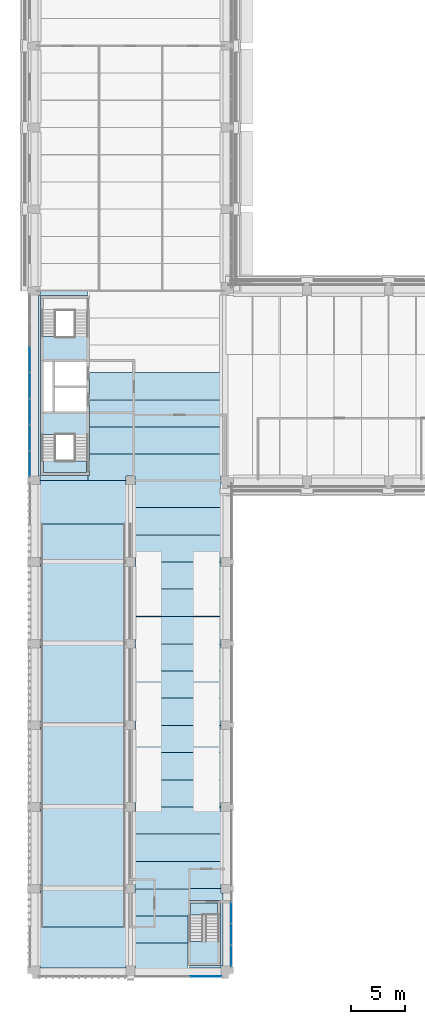
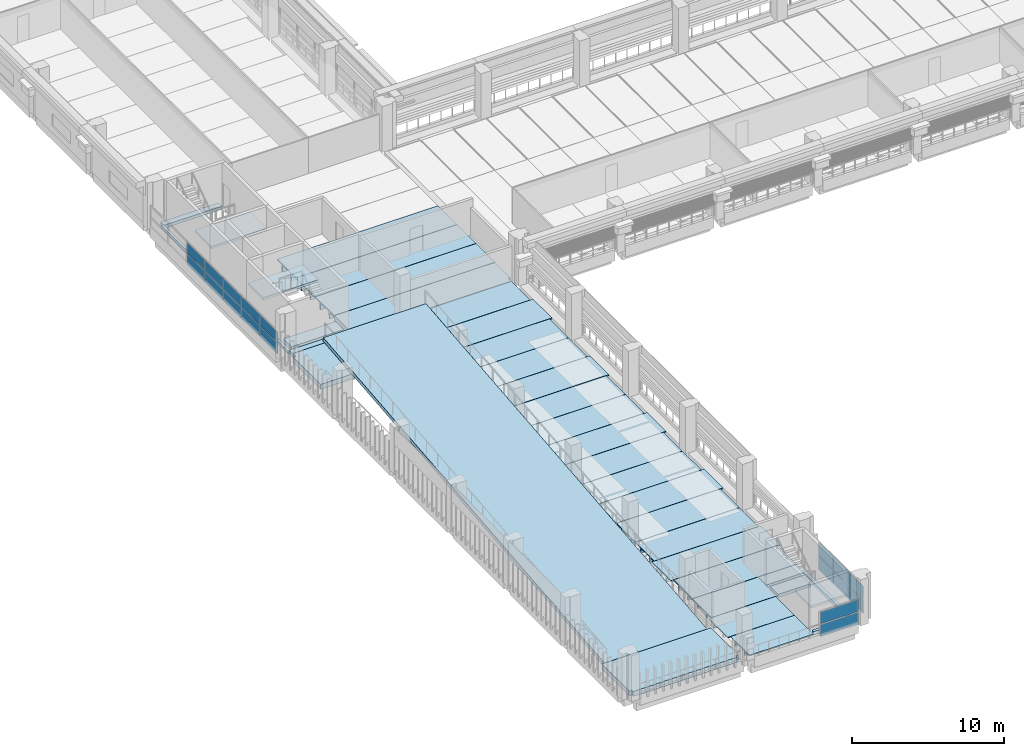
# One storey, part 22 of 71: 32 slabs, 18 plates, 6 elements without a shape of their own.
"""IFC4 building model written with IfcOpenShell, lengths in metres."""

import ifcopenshell
import ifcopenshell.guid

model = None  # the IFC model being written
_history = None  # IfcOwnerHistory: only IFC2X3 demands one
_inside = {}  # id of a spatial element -> (the spatial element, [elements in it])
_under = {}  # id of a project, library or spatial element -> (it, [spatial elements below it])
_declared = {}  # id of a project -> (the project, [libraries it declares])
_typed = {}  # id of a type object -> (the type object, [elements of that type])
_made_of = {}  # id of a material, layer set ... -> (it, [elements and type objects made of it])


def new_model(schema):
    """Start an empty IFC model of exactly this schema.

    Asked for "IFC4X3", IfcOpenShell would pick the latest addendum, in which some entities
    have other attributes; the version numbers below select the first issue.
    IFC2X3 requires an IfcOwnerHistory on every rooted entity: one is made here for all.
    """
    global model, _history
    if schema == "IFC4X3":
        model = ifcopenshell.file(schema_version=(4, 3, 0, 0))
    else:
        model = ifcopenshell.file(schema=schema)
    _inside.clear()
    _under.clear()
    _declared.clear()
    _typed.clear()
    _made_of.clear()
    _history = None
    if model.schema == "IFC2X3":
        org = make("IfcOrganization", Name="unknown")
        user = make(
            "IfcPersonAndOrganization",
            ThePerson=make("IfcPerson", FamilyName="unknown"),
            TheOrganization=org,
        )
        app = make(
            "IfcApplication",
            ApplicationDeveloper=org,
            Version="unknown",
            ApplicationFullName="unknown",
            ApplicationIdentifier="unknown",
        )
        _history = make(
            "IfcOwnerHistory",
            OwningUser=user,
            OwningApplication=app,
            ChangeAction="ADDED",
            CreationDate=0,
        )
    return model


def make(cls, **values):
    """One entity of the class cls with the attributes given. An attribute that is None is left unset."""
    return model.create_entity(
        cls, **{name: value for name, value in values.items() if value is not None}
    )


def rooted(cls, **values):
    """An entity with a GlobalId (a new one), such as an element, a storey or a relation."""
    return make(cls, GlobalId=ifcopenshell.guid.new(), OwnerHistory=_history, **values)


def si_unit(unit_type, name, prefix=None):
    """IfcSIUnit, for example si_unit("LENGTHUNIT", "METRE", prefix="MILLI")."""
    return make("IfcSIUnit", UnitType=unit_type, Prefix=prefix, Name=name)


def assignment(units):
    """IfcUnitAssignment: the units of a project."""
    return None if units is None else make("IfcUnitAssignment", Units=units)


def point(xyz):
    """IfcCartesianPoint."""
    return None if xyz is None else make("IfcCartesianPoint", Coordinates=xyz)


def direction(xyz):
    """IfcDirection."""
    return None if xyz is None else make("IfcDirection", DirectionRatios=xyz)


def frame(location, z_axis=None, x_axis=None):
    """IfcAxis2Placement3D, a coordinate frame: its origin and axes. An axis left out is left unset."""
    return make(
        "IfcAxis2Placement3D",
        Location=point(location),
        Axis=direction(z_axis),
        RefDirection=direction(x_axis),
    )


def frame_2d(location, x_axis=None):
    """IfcAxis2Placement2D, a coordinate frame in the plane: its origin and x axis."""
    return make(
        "IfcAxis2Placement2D", Location=point(location), RefDirection=direction(x_axis)
    )


def origin():
    """The frame at (0, 0, 0) with its axes left unset."""
    return frame((0.0, 0.0, 0.0))


def origin_2d():
    """The frame at (0, 0) in the plane with its x axis left unset."""
    return frame_2d((0.0, 0.0))


def place(relative_to, where):
    """IfcLocalPlacement: puts the frame where relative to a parent placement (None: the world)."""
    return make(
        "IfcLocalPlacement", PlacementRelTo=relative_to, RelativePlacement=where
    )


def context(
    kind, dimensions, precision=None, world=None, true_north=None, identifier=None
):
    """IfcGeometricRepresentationContext, for example the 3D "Model" context."""
    return make(
        "IfcGeometricRepresentationContext",
        ContextIdentifier=identifier,
        ContextType=kind,
        CoordinateSpaceDimension=dimensions,
        Precision=precision,
        WorldCoordinateSystem=world,
        TrueNorth=true_north,
    )


def subcontext(parent, identifier, kind, view, scale=None):
    """IfcGeometricRepresentationSubContext, for example "Body" below "Model"."""
    return make(
        "IfcGeometricRepresentationSubContext",
        ContextIdentifier=identifier,
        ContextType=kind,
        ParentContext=parent,
        TargetScale=scale,
        TargetView=view,
    )


def project(units=None, contexts=None):
    """IfcProject with its units and contexts."""
    return rooted(
        "IfcProject",
        Name="project",
        RepresentationContexts=contexts,
        UnitsInContext=assignment(units),
    )


def spatial(cls, under=None, at=None, **own):
    """A site, building, storey or space (cls), placed at a placement, below another one or the project."""
    s = rooted(cls, ObjectPlacement=at, **own)
    if under is not None:
        _under.setdefault(under.id(), (under, []))[1].append(s)
    return s


def polyline(points):
    """IfcPolyline through the points."""
    return make("IfcPolyline", Points=[point(p) for p in points])


def profile(cls, at=None, kind="AREA", **sizes):
    """A parametric profile (cls). Its sizes go by their IFC names, for example OverallWidth=200.0."""
    return make(cls, ProfileType=kind, Position=at, **sizes)


def rectangle(**sizes):
    """IfcRectangleProfileDef."""
    return profile("IfcRectangleProfileDef", **sizes)


def outline(outer, holes=None, kind="AREA"):
    """IfcArbitraryClosedProfileDef: a profile drawn as a closed curve; with holes, ...WithVoids."""
    if holes is None:
        return make("IfcArbitraryClosedProfileDef", ProfileType=kind, OuterCurve=outer)
    return make(
        "IfcArbitraryProfileDefWithVoids",
        ProfileType=kind,
        OuterCurve=outer,
        InnerCurves=holes,
    )


def extrude(swept, where, along, depth):
    """IfcExtrudedAreaSolid: the profile swept, set in the frame where, extruded along a direction by depth."""
    return make(
        "IfcExtrudedAreaSolid",
        SweptArea=swept,
        Position=where,
        ExtrudedDirection=direction(along),
        Depth=depth,
    )


def shape(context_of_items, identifier, shape_type, items):
    """IfcShapeRepresentation: the items that make up one representation, for example the "Body"."""
    return make(
        "IfcShapeRepresentation",
        ContextOfItems=context_of_items,
        RepresentationIdentifier=identifier,
        RepresentationType=shape_type,
        Items=items,
    )


def material(Name=None, Category=None):
    """IfcMaterial."""
    return make("IfcMaterial", Name=Name, Category=Category)


def layer(
    of_material, thickness, ventilated=None, Name=None, Category=None, Priority=None
):
    """IfcMaterialLayer: one layer of a wall or slab, of a material (None: an air gap)."""
    return make(
        "IfcMaterialLayer",
        Material=of_material,
        LayerThickness=thickness,
        IsVentilated=ventilated,
        Name=Name,
        Category=Category,
        Priority=Priority,
    )


def layer_set(layers, Name=None):
    """IfcMaterialLayerSet."""
    return make("IfcMaterialLayerSet", MaterialLayers=layers, LayerSetName=Name)


def material_profile(
    of_material, cross_section, Name=None, Category=None, Priority=None
):
    """IfcMaterialProfile: a cross section and its material."""
    return make(
        "IfcMaterialProfile",
        Name=Name,
        Material=of_material,
        Profile=cross_section,
        Priority=Priority,
        Category=Category,
    )


def profile_set(profiles, Name=None, composite=None):
    """IfcMaterialProfileSet."""
    return make(
        "IfcMaterialProfileSet",
        Name=Name,
        MaterialProfiles=profiles,
        CompositeProfile=composite,
    )


def made_of(thing, what):
    """Note that an element or type object is made of a material, layer set ...; save() writes the relation."""
    if what is not None:
        _made_of.setdefault(what.id(), (what, []))[1].append(thing)
    return thing


def type_object(cls, material=None, **own):
    """A type object (cls), such as IfcWallType, which elements share."""
    return made_of(rooted(cls, **own), material)


def element(
    cls,
    number,
    at=None,
    inside=None,
    cuts=None,
    type_object=None,
    material=None,
    context=None,
    identifier="Body",
    shape_type=None,
    held_by="IfcProductDefinitionShape",
    body=None,
    shapes=None,
    **own,
):
    """One element of the class cls, such as IfcWall. Its Tag is "e" and its number.

    at: its placement. inside: the storey or other place that contains it. cuts: it is an
    opening in that element (IfcRelVoidsElement). A single representation is given by context,
    identifier, shape_type and body (its items); several are given by shapes. held_by: the class
    of the entity that holds the representations. save() writes the other relations.
    """
    e = rooted(cls, Tag="e%d" % number, ObjectPlacement=at, **own)
    if body is not None:
        shapes = [shape(context, identifier, shape_type, body)]
    if shapes is not None:
        e.Representation = make(held_by, Representations=shapes)
    if inside is not None:
        _inside.setdefault(inside.id(), (inside, []))[1].append(e)
    if cuts is not None:
        rooted(
            "IfcRelVoidsElement", RelatingBuildingElement=cuts, RelatedOpeningElement=e
        )
    if type_object is not None:
        _typed.setdefault(type_object.id(), (type_object, []))[1].append(e)
    return made_of(e, material)


def aggregate(whole, parts):
    """IfcRelAggregates: a whole, such as a stair, and the parts it consists of."""
    return rooted("IfcRelAggregates", RelatingObject=whole, RelatedObjects=parts)


def save(model, path):
    """Write the relations noted so far, then the file.

    IfcRelAggregates (storeys below a building ...), IfcRelContainedInSpatialStructure (elements
    in a storey), IfcRelDefinesByType, IfcRelAssociatesMaterial and IfcRelDeclares: one each for
    every whole, place, type object, material and project.
    """
    for whole, parts in _under.values():
        aggregate(whole, parts)
    for where, things in _inside.values():
        rooted(
            "IfcRelContainedInSpatialStructure",
            RelatedElements=things,
            RelatingStructure=where,
        )
    for kind, things in _typed.values():
        rooted("IfcRelDefinesByType", RelatedObjects=things, RelatingType=kind)
    for what, things in _made_of.values():
        rooted("IfcRelAssociatesMaterial", RelatedObjects=things, RelatingMaterial=what)
    for by, libraries in _declared.values():
        rooted("IfcRelDeclares", RelatingContext=by, RelatedDefinitions=libraries)
    model.write(path)


model = new_model("IFC4")

# Units and contexts
model_context = context("Model", 3, precision=1e-05, world=origin(), true_north=direction((0.0, 1.0)))
body_context = subcontext(model_context, "Body", "Model", "MODEL_VIEW")
ifc_project = project(units=[si_unit("LENGTHUNIT", "METRE"), si_unit("AREAUNIT", "SQUARE_METRE"), si_unit("VOLUMEUNIT", "CUBIC_METRE"), si_unit("PLANEANGLEUNIT", "RADIAN"), si_unit("MASSUNIT", "GRAM", prefix="KILO")], contexts=[model_context])

# Site, building, storey
site_placement = place(None, origin())
site = spatial("IfcSite", under=ifc_project, at=site_placement, CompositionType="ELEMENT")
building_placement = place(site_placement, origin())
building = spatial("IfcBuilding", under=site, at=building_placement, Name="Cour d'Honneur Mobility Palace", CompositionType="ELEMENT")
storey_placement = place(building_placement, frame((0.0, 0.0, 15.60009765625)))
storey = spatial("IfcBuildingStorey", under=building, at=storey_placement, Name="L04", CompositionType="ELEMENT", Elevation=15.60009765625)

# Slabs
ifc_material_1 = material(Name="Concrete C50", Category="concrete")
ifc_layer_1 = layer(ifc_material_1, 0.25)
ifc_layer_set_1 = layer_set([ifc_layer_1], Name="Concrete C50")
slab_type_1 = type_object("IfcSlabType", Name="Cast-in-place Slab 250", PredefinedType="FLOOR", material=ifc_layer_set_1)
slab_1_placement = place(storey_placement, frame((0.0, 0.0, -0.25)))
element("IfcSlab", 1, at=slab_1_placement, inside=storey, type_object=slab_type_1, Name="Cast-in-place slab S1 L04 core", PredefinedType="FLOOR", context=body_context, shape_type="SweptSolid", body=[
    extrude(outline(polyline([(0.39990234375, 45.39990234375), (0.25, 45.39990234375), (0.25, 62.0), (0.39990234375, 62.0), (0.39990234375, 62.39990234375), (4.800048828125, 62.39990234375), (4.800048828125, 61.949951171875), (0.449951171875, 61.949951171875), (0.449951171875, 45.449951171875), (4.800048828125, 45.449951171875), (4.800048828125, 45.0), (0.39990234375, 45.0), (0.39990234375, 45.39990234375)])), origin(), (0.0, 0.0, 1.0), 0.25),
])
slab_2_placement = place(storey_placement, frame((0.0, 0.0, -0.25)))
element("IfcSlab", 2, at=slab_2_placement, inside=storey, type_object=slab_type_1, Name="Cast-in-place slab S1 L04 core", PredefinedType="FLOOR", context=body_context, shape_type="SweptSolid", body=[
    extrude(outline(polyline([(0.699951171875, 45.699951171875), (0.699951171875, 46.77490234375), (4.675048828125, 46.77490234375), (4.675048828125, 45.699951171875), (0.699951171875, 45.699951171875)])), origin(), (0.0, 0.0, 1.0), 0.25),
])
slab_3_placement = place(storey_placement, frame((0.0, 0.0, -0.25)))
element("IfcSlab", 3, at=slab_3_placement, inside=storey, type_object=slab_type_1, Name="Cast-in-place slab S1 L04 stair strip", PredefinedType="FLOOR", context=body_context, shape_type="SweptSolid", body=[
    extrude(outline(polyline([(17.0, 7.10009765625), (17.199951171875, 7.10009765625), (17.199951171875, 0.39990234375), (17.0, 0.39990234375), (17.0, 0.22509765625), (14.10009765625, 0.22509765625), (14.10009765625, 0.449951171875), (16.949951171875, 0.449951171875), (16.949951171875, 6.425048828125), (14.10009765625, 6.425048828125), (14.10009765625, 7.5), (17.0, 7.5), (17.0, 7.10009765625)])), origin(), (0.0, 0.0, 1.0), 0.25),
])
slab_4_placement = place(storey_placement, frame((0.0, 0.0, -0.25)))
element("IfcSlab", 4, at=slab_4_placement, inside=storey, type_object=slab_type_1, Name="Cast-in-place slab S1 L04 stair strip", PredefinedType="FLOOR", context=body_context, shape_type="SweptSolid", body=[
    extrude(outline(polyline([(14.22509765625, 5.10009765625), (14.22509765625, 6.175048828125), (16.699951171875, 6.175048828125), (16.699951171875, 5.10009765625), (14.22509765625, 5.10009765625)])), origin(), (0.0, 0.0, 1.0), 0.25),
])
ifc_material_2 = material(Name="Concrete C50", Category="concrete")
ifc_layer_2 = layer(ifc_material_2, 0.39990234375)
ifc_layer_set_2 = layer_set([ifc_layer_2], Name="Concrete C50")
slab_type_2 = type_object("IfcSlabType", Name="Cast-in-place Slab 400", PredefinedType="LANDING", material=ifc_layer_set_2)
slab_5_placement = place(storey_placement, frame((0.0, 0.0, -0.400146484375)))
element("IfcSlab", 5, at=slab_5_placement, inside=storey, type_object=slab_type_2, Name="Cast-in-place slab S3 L04 landing", PredefinedType="LANDING", context=body_context, shape_type="SweptSolid", body=[
    extrude(outline(polyline([(8.300048828125, 0.39990234375), (8.300048828125, 0.22509765625), (0.39990234375, 0.22509765625), (0.39990234375, 0.39990234375), (0.199951171875, 0.39990234375), (0.199951171875, 4.0), (8.5, 4.0), (8.5, 0.39990234375), (8.300048828125, 0.39990234375)])), origin(), (0.0, 0.0, 1.0), 0.400146484375),
])
slab_6_placement = place(storey_placement, frame((0.0, 0.0, -0.400146484375)))
element("IfcSlab", 6, at=slab_6_placement, inside=storey, type_object=slab_type_2, Name="Cast-in-place slab S3 L04 landing", PredefinedType="LANDING", context=body_context, shape_type="SweptSolid", body=[
    extrude(outline(polyline([(8.5, 44.60009765625), (8.5, 41.0), (0.199951171875, 41.0), (0.199951171875, 44.60009765625), (0.39990234375, 44.60009765625), (0.39990234375, 45.0), (8.300048828125, 45.0), (8.300048828125, 44.60009765625), (8.5, 44.60009765625)])), origin(), (0.0, 0.0, 1.0), 0.400146484375),
])
ifc_material_3 = material(Name="Concrete C50", Category="concrete")
ifc_layer_3 = layer(ifc_material_3, 0.800048828125)
ifc_layer_set_3 = layer_set([ifc_layer_3], Name="Concrete C50")
slab_type_3 = type_object("IfcSlabType", Name="Cast-in-place Slab 800", PredefinedType="FLOOR", material=ifc_layer_set_3)
slab_7_placement = place(storey_placement, frame((0.0, 0.0, -0.800048828125)))
element("IfcSlab", 7, at=slab_7_placement, inside=storey, type_object=slab_type_3, Name="Cast-in-place slab S2 L04 closure", PredefinedType="FLOOR", context=body_context, shape_type="SweptSolid", body=[
    extrude(outline(polyline([(17.0, 45.39990234375), (17.0, 45.0), (9.10009765625, 45.0), (9.10009765625, 45.39990234375), (8.300048828125, 45.39990234375), (8.300048828125, 45.0), (4.800048828125, 45.0), (4.800048828125, 45.449951171875), (4.925048828125, 45.449951171875), (4.925048828125, 47.39990234375), (17.14990234375, 47.39990234375), (17.14990234375, 45.39990234375), (17.0, 45.39990234375)])), origin(), (0.0, 0.0, 1.0), 0.800048828125),
])

# Curtain wall, plates
ifc_material_4 = material(Name="Aluminium and glass", Category="aluminium")
ifc_layer_4 = layer(ifc_material_4, 0.10009765625)
ifc_layer_set_4 = layer_set([ifc_layer_4], Name="Aluminium and glass")
curtain_wall_type = type_object("IfcCurtainWallType", Name="Curtain wall run", PredefinedType="NOTDEFINED", material=ifc_layer_set_4)
curtain_wall_1_placement = place(storey_placement, origin())
curtain_wall_1 = element("IfcCurtainWall", 8, at=curtain_wall_1_placement, inside=storey, type_object=curtain_wall_type, Name="Curtain wall CW-103", PredefinedType="NOTDEFINED")
ifc_material_5 = material(Name="Double glazing", Category="glass")
ifc_layer_5 = layer(ifc_material_5, 0.028076171875)
ifc_layer_set_5 = layer_set([ifc_layer_5], Name="Double glazing")
plate_type = type_object("IfcPlateType", Name="Curtain wall panel", PredefinedType="CURTAIN_PANEL", material=ifc_layer_set_5)
plate_1_placement = place(storey_placement, frame((-0.550048828125, 56.10009765625, 0.06005859375), z_axis=(0.0, 0.0, 1.0), x_axis=(0.0, -1.0, 0.0)))
plate_1 = element("IfcPlate", 9, at=plate_1_placement, type_object=plate_type, Name="CW-103 panel 3.1", PredefinedType="CURTAIN_PANEL", context=body_context, shape_type="SweptSolid", body=[
    extrude(rectangle(XDim=2.340087890625, YDim=0.028076171875, at=origin_2d()), origin(), (0.0, 0.0, 1.0), 0.860107421875),
])
plate_2_placement = place(storey_placement, frame((-0.550048828125, 56.10009765625, 0.97998046875), z_axis=(0.0, 0.0, 1.0), x_axis=(0.0, -1.0, 0.0)))
plate_2 = element("IfcPlate", 10, at=plate_2_placement, type_object=plate_type, Name="CW-103 panel 3.2", PredefinedType="CURTAIN_PANEL", context=body_context, shape_type="SweptSolid", body=[
    extrude(rectangle(XDim=2.340087890625, YDim=0.028076171875, at=origin_2d()), origin(), (0.0, 0.0, 1.0), 0.860107421875),
])
plate_3_placement = place(storey_placement, frame((-0.550048828125, 53.699951171875, 0.06005859375), z_axis=(0.0, 0.0, 1.0), x_axis=(0.0, -1.0, 0.0)))
plate_3 = element("IfcPlate", 11, at=plate_3_placement, type_object=plate_type, Name="CW-103 panel 4.1", PredefinedType="CURTAIN_PANEL", context=body_context, shape_type="SweptSolid", body=[
    extrude(rectangle(XDim=2.340087890625, YDim=0.028076171875, at=origin_2d()), origin(), (0.0, 0.0, 1.0), 0.860107421875),
])
plate_4_placement = place(storey_placement, frame((-0.550048828125, 53.699951171875, 0.97998046875), z_axis=(0.0, 0.0, 1.0), x_axis=(0.0, -1.0, 0.0)))
plate_4 = element("IfcPlate", 12, at=plate_4_placement, type_object=plate_type, Name="CW-103 panel 4.2", PredefinedType="CURTAIN_PANEL", context=body_context, shape_type="SweptSolid", body=[
    extrude(rectangle(XDim=2.340087890625, YDim=0.028076171875, at=origin_2d()), origin(), (0.0, 0.0, 1.0), 0.860107421875),
])
plate_5_placement = place(storey_placement, frame((-0.550048828125, 51.300048828125, 0.06005859375), z_axis=(0.0, 0.0, 1.0), x_axis=(0.0, -1.0, 0.0)))
plate_5 = element("IfcPlate", 13, at=plate_5_placement, type_object=plate_type, Name="CW-103 panel 5.1", PredefinedType="CURTAIN_PANEL", context=body_context, shape_type="SweptSolid", body=[
    extrude(rectangle(XDim=2.340087890625, YDim=0.028076171875, at=origin_2d()), origin(), (0.0, 0.0, 1.0), 0.860107421875),
])
plate_6_placement = place(storey_placement, frame((-0.550048828125, 51.300048828125, 0.97998046875), z_axis=(0.0, 0.0, 1.0), x_axis=(0.0, -1.0, 0.0)))
plate_6 = element("IfcPlate", 14, at=plate_6_placement, type_object=plate_type, Name="CW-103 panel 5.2", PredefinedType="CURTAIN_PANEL", context=body_context, shape_type="SweptSolid", body=[
    extrude(rectangle(XDim=2.340087890625, YDim=0.028076171875, at=origin_2d()), origin(), (0.0, 0.0, 1.0), 0.860107421875),
])
plate_7_placement = place(storey_placement, frame((-0.550048828125, 48.89990234375, 0.06005859375), z_axis=(0.0, 0.0, 1.0), x_axis=(0.0, -1.0, 0.0)))
plate_7 = element("IfcPlate", 15, at=plate_7_placement, type_object=plate_type, Name="CW-103 panel 6.1", PredefinedType="CURTAIN_PANEL", context=body_context, shape_type="SweptSolid", body=[
    extrude(rectangle(XDim=2.340087890625, YDim=0.028076171875, at=origin_2d()), origin(), (0.0, 0.0, 1.0), 0.860107421875),
])
plate_8_placement = place(storey_placement, frame((-0.550048828125, 48.89990234375, 0.97998046875), z_axis=(0.0, 0.0, 1.0), x_axis=(0.0, -1.0, 0.0)))
plate_8 = element("IfcPlate", 16, at=plate_8_placement, type_object=plate_type, Name="CW-103 panel 6.2", PredefinedType="CURTAIN_PANEL", context=body_context, shape_type="SweptSolid", body=[
    extrude(rectangle(XDim=2.340087890625, YDim=0.028076171875, at=origin_2d()), origin(), (0.0, 0.0, 1.0), 0.860107421875),
])
plate_9_placement = place(storey_placement, frame((-0.550048828125, 46.514892578125, 0.06005859375), z_axis=(0.0, 0.0, 1.0), x_axis=(0.0, -1.0, 0.0)))
plate_9 = element("IfcPlate", 17, at=plate_9_placement, type_object=plate_type, Name="CW-103 panel 7.1", PredefinedType="CURTAIN_PANEL", context=body_context, shape_type="SweptSolid", body=[
    extrude(rectangle(XDim=2.31005859375, YDim=0.028076171875, at=origin_2d()), origin(), (0.0, 0.0, 1.0), 0.860107421875),
])
plate_10_placement = place(storey_placement, frame((-0.550048828125, 46.514892578125, 0.97998046875), z_axis=(0.0, 0.0, 1.0), x_axis=(0.0, -1.0, 0.0)))
plate_10 = element("IfcPlate", 18, at=plate_10_placement, type_object=plate_type, Name="CW-103 panel 7.2", PredefinedType="CURTAIN_PANEL", context=body_context, shape_type="SweptSolid", body=[
    extrude(rectangle(XDim=2.31005859375, YDim=0.028076171875, at=origin_2d()), origin(), (0.0, 0.0, 1.0), 0.860107421875),
])
aggregate(curtain_wall_1, [plate_1, plate_2, plate_3, plate_4, plate_5, plate_6, plate_7, plate_8, plate_9, plate_10])

curtain_wall_2_placement = place(storey_placement, origin())
curtain_wall_2 = element("IfcCurtainWall", 19, at=curtain_wall_2_placement, inside=storey, type_object=curtain_wall_type, Name="Curtain wall CW-159", PredefinedType="NOTDEFINED")
plate_11_placement = place(storey_placement, frame((15.60009765625, -0.550048828125, 0.059814453125), z_axis=(0.0, 0.0, 1.0), x_axis=(1.0, 0.0, 0.0)))
plate_11 = element("IfcPlate", 20, at=plate_11_placement, type_object=plate_type, Name="CW-159 panel 1.1", PredefinedType="CURTAIN_PANEL", context=body_context, shape_type="SweptSolid", body=[
    extrude(rectangle(XDim=2.8798828125, YDim=0.028076171875, at=origin_2d()), origin(), (0.0, 0.0, 1.0), 0.9599609375),
])
plate_12_placement = place(storey_placement, frame((15.60009765625, -0.550048828125, 1.079833984375), z_axis=(0.0, 0.0, 1.0), x_axis=(1.0, 0.0, 0.0)))
plate_12 = element("IfcPlate", 21, at=plate_12_placement, type_object=plate_type, Name="CW-159 panel 1.2", PredefinedType="CURTAIN_PANEL", context=body_context, shape_type="SweptSolid", body=[
    extrude(rectangle(XDim=2.8798828125, YDim=0.028076171875, at=origin_2d()), origin(), (0.0, 0.0, 1.0), 0.9599609375),
])
aggregate(curtain_wall_2, [plate_11, plate_12])

curtain_wall_3_placement = place(storey_placement, origin())
curtain_wall_3 = element("IfcCurtainWall", 22, at=curtain_wall_3_placement, inside=storey, type_object=curtain_wall_type, Name="Curtain wall CW-160", PredefinedType="NOTDEFINED")
plate_13_placement = place(storey_placement, frame((17.949951171875, 1.31494140625, 0.059814453125), z_axis=(0.0, 0.0, 1.0), x_axis=(0.0, 1.0, 0.0)))
plate_13 = element("IfcPlate", 23, at=plate_13_placement, type_object=plate_type, Name="CW-160 panel 1.1", PredefinedType="CURTAIN_PANEL", context=body_context, shape_type="SweptSolid", body=[
    extrude(rectangle(XDim=1.909912109375, YDim=0.028076171875, at=origin_2d()), origin(), (0.0, 0.0, 1.0), 1.06005859375),
])
plate_14_placement = place(storey_placement, frame((17.949951171875, 1.31494140625, 1.179931640625), z_axis=(0.0, 0.0, 1.0), x_axis=(0.0, 1.0, 0.0)))
plate_14 = element("IfcPlate", 24, at=plate_14_placement, type_object=plate_type, Name="CW-160 panel 1.2", PredefinedType="CURTAIN_PANEL", context=body_context, shape_type="SweptSolid", body=[
    extrude(rectangle(XDim=1.909912109375, YDim=0.028076171875, at=origin_2d()), origin(), (0.0, 0.0, 1.0), 1.06005859375),
])
plate_15_placement = place(storey_placement, frame((17.949951171875, 3.300048828125, 0.059814453125), z_axis=(0.0, 0.0, 1.0), x_axis=(0.0, 1.0, 0.0)))
plate_15 = element("IfcPlate", 25, at=plate_15_placement, type_object=plate_type, Name="CW-160 panel 2.1", PredefinedType="CURTAIN_PANEL", context=body_context, shape_type="SweptSolid", body=[
    extrude(rectangle(XDim=1.93994140625, YDim=0.028076171875, at=origin_2d()), origin(), (0.0, 0.0, 1.0), 1.06005859375),
])
plate_16_placement = place(storey_placement, frame((17.949951171875, 3.300048828125, 1.179931640625), z_axis=(0.0, 0.0, 1.0), x_axis=(0.0, 1.0, 0.0)))
plate_16 = element("IfcPlate", 26, at=plate_16_placement, type_object=plate_type, Name="CW-160 panel 2.2", PredefinedType="CURTAIN_PANEL", context=body_context, shape_type="SweptSolid", body=[
    extrude(rectangle(XDim=1.93994140625, YDim=0.028076171875, at=origin_2d()), origin(), (0.0, 0.0, 1.0), 1.06005859375),
])
plate_17_placement = place(storey_placement, frame((17.949951171875, 5.284912109375, 0.059814453125), z_axis=(0.0, 0.0, 1.0), x_axis=(0.0, 1.0, 0.0)))
plate_17 = element("IfcPlate", 27, at=plate_17_placement, type_object=plate_type, Name="CW-160 panel 3.1", PredefinedType="CURTAIN_PANEL", context=body_context, shape_type="SweptSolid", body=[
    extrude(rectangle(XDim=1.909912109375, YDim=0.028076171875, at=origin_2d()), origin(), (0.0, 0.0, 1.0), 1.06005859375),
])
plate_18_placement = place(storey_placement, frame((17.949951171875, 5.284912109375, 1.179931640625), z_axis=(0.0, 0.0, 1.0), x_axis=(0.0, 1.0, 0.0)))
plate_18 = element("IfcPlate", 28, at=plate_18_placement, type_object=plate_type, Name="CW-160 panel 3.2", PredefinedType="CURTAIN_PANEL", context=body_context, shape_type="SweptSolid", body=[
    extrude(rectangle(XDim=1.909912109375, YDim=0.028076171875, at=origin_2d()), origin(), (0.0, 0.0, 1.0), 1.06005859375),
])
aggregate(curtain_wall_3, [plate_13, plate_14, plate_15, plate_16, plate_17, plate_18])

# Slabs
ifc_material_6 = material(Name="Concrete C45", Category="concrete")
ifc_material_profile_1 = material_profile(ifc_material_6, outline(polyline([(-1.2451171875, 0.0), (1.2451171875, 0.0), (1.2451171875, -0.074951171875), (0.659912109375, -0.074951171875), (0.639892578125, -0.39990234375), (0.56005859375, -0.39990234375), (0.5400390625, -0.074951171875), (-0.5400390625, -0.074951171875), (-0.56005859375, -0.39990234375), (-0.639892578125, -0.39990234375), (-0.659912109375, -0.074951171875), (-1.2451171875, -0.074951171875), (-1.2451171875, 0.0)])), Name="DT 2490x400")
ifc_profile_set_1 = profile_set([ifc_material_profile_1], Name="Concrete C45")
slab_type_4 = type_object("IfcSlabType", Name="DT 2490x400", PredefinedType="FLOOR", material=ifc_profile_set_1)
slab_8_placement = place(storey_placement, frame((9.10009765625, 1.25, 0.0), z_axis=(1.0, 0.0, 0.0), x_axis=(0.0, 1.0, 0.0)))
element("IfcSlab", 29, at=slab_8_placement, inside=storey, type_object=slab_type_4, Name="Double tee DT-SW1 L04", PredefinedType="FLOOR", context=body_context, shape_type="SweptSolid", body=[
    extrude(outline(polyline([(-1.2451171875, 0.0), (1.2451171875, 0.0), (1.2451171875, -0.074951171875), (0.659912109375, -0.074951171875), (0.639892578125, -0.39990234375), (0.56005859375, -0.39990234375), (0.5400390625, -0.074951171875), (-0.5400390625, -0.074951171875), (-0.56005859375, -0.39990234375), (-0.639892578125, -0.39990234375), (-0.659912109375, -0.074951171875), (-1.2451171875, -0.074951171875), (-1.2451171875, 0.0)])), origin(), (0.0, 0.0, 1.0), 4.875),
])
slab_9_placement = place(storey_placement, frame((8.89990234375, 3.75, 0.0), z_axis=(1.0, 0.0, 0.0), x_axis=(0.0, 1.0, 0.0)))
element("IfcSlab", 30, at=slab_9_placement, inside=storey, type_object=slab_type_4, Name="Double tee DT-SW2 L04", PredefinedType="FLOOR", context=body_context, shape_type="SweptSolid", body=[
    extrude(outline(polyline([(-1.2451171875, 0.0), (1.2451171875, 0.0), (1.2451171875, -0.074951171875), (0.659912109375, -0.074951171875), (0.639892578125, -0.39990234375), (0.56005859375, -0.39990234375), (0.5400390625, -0.074951171875), (-0.5400390625, -0.074951171875), (-0.56005859375, -0.39990234375), (-0.639892578125, -0.39990234375), (-0.659912109375, -0.074951171875), (-1.2451171875, -0.074951171875), (-1.2451171875, 0.0)])), origin(), (0.0, 0.0, 1.0), 5.0751953125),
])
slab_10_placement = place(storey_placement, frame((9.10009765625, 6.25, 0.0), z_axis=(1.0, 0.0, 0.0), x_axis=(0.0, 1.0, 0.0)))
element("IfcSlab", 31, at=slab_10_placement, inside=storey, type_object=slab_type_4, Name="Double tee DT-SW3 L04", PredefinedType="FLOOR", context=body_context, shape_type="SweptSolid", body=[
    extrude(outline(polyline([(-1.2451171875, 0.0), (1.2451171875, 0.0), (1.2451171875, -0.074951171875), (0.659912109375, -0.074951171875), (0.639892578125, -0.39990234375), (0.56005859375, -0.39990234375), (0.5400390625, -0.074951171875), (-0.5400390625, -0.074951171875), (-0.56005859375, -0.39990234375), (-0.639892578125, -0.39990234375), (-0.659912109375, -0.074951171875), (-1.2451171875, -0.074951171875), (-1.2451171875, 0.0)])), origin(), (0.0, 0.0, 1.0), 5.0),
])
ifc_material_7 = material(Name="Concrete C45", Category="concrete")
ifc_material_profile_2 = material_profile(ifc_material_7, outline(polyline([(-1.2451171875, 0.0), (1.2451171875, 0.0), (1.2451171875, -0.10009765625), (0.669921875, -0.10009765625), (0.64501953125, -0.5), (0.554931640625, -0.5), (0.530029296875, -0.10009765625), (-0.530029296875, -0.10009765625), (-0.554931640625, -0.5), (-0.64501953125, -0.5), (-0.669921875, -0.10009765625), (-1.2451171875, -0.10009765625), (-1.2451171875, 0.0)])), Name="DT 2490x500")
ifc_profile_set_2 = profile_set([ifc_material_profile_2], Name="Concrete C45")
slab_type_5 = type_object("IfcSlabType", Name="DT 2490x500", PredefinedType="FLOOR", material=ifc_profile_set_2)
slab_11_placement = place(storey_placement, frame((9.10009765625, 8.75, 0.0), z_axis=(1.0, 0.0, 0.0), x_axis=(0.0, 1.0, 0.0)))
element("IfcSlab", 32, at=slab_11_placement, inside=storey, type_object=slab_type_5, Name="Double tee DT-SW4 L04", PredefinedType="FLOOR", context=body_context, shape_type="SweptSolid", body=[
    extrude(outline(polyline([(-1.2451171875, 0.0), (1.2451171875, 0.0), (1.2451171875, -0.10009765625), (0.669921875, -0.10009765625), (0.64501953125, -0.5), (0.554931640625, -0.5), (0.530029296875, -0.10009765625), (-0.530029296875, -0.10009765625), (-0.554931640625, -0.5), (-0.64501953125, -0.5), (-0.669921875, -0.10009765625), (-1.2451171875, -0.10009765625), (-1.2451171875, 0.0)])), origin(), (0.0, 0.0, 1.0), 7.89990234375),
])
slab_12_placement = place(storey_placement, frame((8.89990234375, 11.25, 0.0), z_axis=(1.0, 0.0, 0.0), x_axis=(0.0, 1.0, 0.0)))
element("IfcSlab", 33, at=slab_12_placement, inside=storey, type_object=slab_type_5, Name="Double tee DT-SW5 L04", PredefinedType="FLOOR", context=body_context, shape_type="SweptSolid", body=[
    extrude(outline(polyline([(-1.2451171875, 0.0), (1.2451171875, 0.0), (1.2451171875, -0.10009765625), (0.669921875, -0.10009765625), (0.64501953125, -0.5), (0.554931640625, -0.5), (0.530029296875, -0.10009765625), (-0.530029296875, -0.10009765625), (-0.554931640625, -0.5), (-0.64501953125, -0.5), (-0.669921875, -0.10009765625), (-1.2451171875, -0.10009765625), (-1.2451171875, 0.0)])), origin(), (0.0, 0.0, 1.0), 8.300048828125),
])
for number, where, z_axis, x_axis, name in (
    (34, (9.10009765625, 13.75, 0.0), (1.0, 0.0, 0.0), (0.0, 1.0, 0.0), "Double tee DT-SW6 L04"),
    (35, (9.10009765625, 16.25, 0.0), (1.0, 0.0, 0.0), (0.0, 1.0, 0.0), "Double tee DT-SW7 L04"),
):
    element("IfcSlab", number, at=place(storey_placement, frame(where, z_axis=z_axis, x_axis=x_axis)), inside=storey, type_object=slab_type_5, Name=name, PredefinedType="FLOOR", context=body_context, shape_type="SweptSolid", body=[
        extrude(outline(polyline([(-1.2451171875, 0.0), (1.2451171875, 0.0), (1.2451171875, -0.10009765625), (0.669921875, -0.10009765625), (0.64501953125, -0.5), (0.554931640625, -0.5), (0.530029296875, -0.10009765625), (-0.530029296875, -0.10009765625), (-0.554931640625, -0.5), (-0.64501953125, -0.5), (-0.669921875, -0.10009765625), (-1.2451171875, -0.10009765625), (-1.2451171875, 0.0)])), origin(), (0.0, 0.0, 1.0), 7.89990234375),
    ])
slab_13_placement = place(storey_placement, frame((8.89990234375, 18.75, 0.0), z_axis=(1.0, 0.0, 0.0), x_axis=(0.0, 1.0, 0.0)))
element("IfcSlab", 36, at=slab_13_placement, inside=storey, type_object=slab_type_5, Name="Double tee DT-SW8 L04", PredefinedType="FLOOR", context=body_context, shape_type="SweptSolid", body=[
    extrude(outline(polyline([(-1.2451171875, 0.0), (1.2451171875, 0.0), (1.2451171875, -0.10009765625), (0.669921875, -0.10009765625), (0.64501953125, -0.5), (0.554931640625, -0.5), (0.530029296875, -0.10009765625), (-0.530029296875, -0.10009765625), (-0.554931640625, -0.5), (-0.64501953125, -0.5), (-0.669921875, -0.10009765625), (-1.2451171875, -0.10009765625), (-1.2451171875, 0.0)])), origin(), (0.0, 0.0, 1.0), 8.300048828125),
])
for number, where, z_axis, x_axis, name in (
    (37, (9.10009765625, 21.25, 0.0), (1.0, 0.0, 0.0), (0.0, 1.0, 0.0), "Double tee DT-SW9 L04"),
    (38, (9.10009765625, 23.75, 0.0), (1.0, 0.0, 0.0), (0.0, 1.0, 0.0), "Double tee DT-SW10 L04"),
):
    element("IfcSlab", number, at=place(storey_placement, frame(where, z_axis=z_axis, x_axis=x_axis)), inside=storey, type_object=slab_type_5, Name=name, PredefinedType="FLOOR", context=body_context, shape_type="SweptSolid", body=[
        extrude(outline(polyline([(-1.2451171875, 0.0), (1.2451171875, 0.0), (1.2451171875, -0.10009765625), (0.669921875, -0.10009765625), (0.64501953125, -0.5), (0.554931640625, -0.5), (0.530029296875, -0.10009765625), (-0.530029296875, -0.10009765625), (-0.554931640625, -0.5), (-0.64501953125, -0.5), (-0.669921875, -0.10009765625), (-1.2451171875, -0.10009765625), (-1.2451171875, 0.0)])), origin(), (0.0, 0.0, 1.0), 7.89990234375),
    ])
slab_14_placement = place(storey_placement, frame((8.89990234375, 26.25, 0.0), z_axis=(1.0, 0.0, 0.0), x_axis=(0.0, 1.0, 0.0)))
element("IfcSlab", 39, at=slab_14_placement, inside=storey, type_object=slab_type_5, Name="Double tee DT-SW11 L04", PredefinedType="FLOOR", context=body_context, shape_type="SweptSolid", body=[
    extrude(outline(polyline([(-1.2451171875, 0.0), (1.2451171875, 0.0), (1.2451171875, -0.10009765625), (0.669921875, -0.10009765625), (0.64501953125, -0.5), (0.554931640625, -0.5), (0.530029296875, -0.10009765625), (-0.530029296875, -0.10009765625), (-0.554931640625, -0.5), (-0.64501953125, -0.5), (-0.669921875, -0.10009765625), (-1.2451171875, -0.10009765625), (-1.2451171875, 0.0)])), origin(), (0.0, 0.0, 1.0), 8.300048828125),
])
for number, where, z_axis, x_axis, name in (
    (40, (9.10009765625, 28.75, 0.0), (1.0, 0.0, 0.0), (0.0, 1.0, 0.0), "Double tee DT-SW12 L04"),
    (41, (9.10009765625, 31.25, 0.0), (1.0, 0.0, 0.0), (0.0, 1.0, 0.0), "Double tee DT-SW13 L04"),
):
    element("IfcSlab", number, at=place(storey_placement, frame(where, z_axis=z_axis, x_axis=x_axis)), inside=storey, type_object=slab_type_5, Name=name, PredefinedType="FLOOR", context=body_context, shape_type="SweptSolid", body=[
        extrude(outline(polyline([(-1.2451171875, 0.0), (1.2451171875, 0.0), (1.2451171875, -0.10009765625), (0.669921875, -0.10009765625), (0.64501953125, -0.5), (0.554931640625, -0.5), (0.530029296875, -0.10009765625), (-0.530029296875, -0.10009765625), (-0.554931640625, -0.5), (-0.64501953125, -0.5), (-0.669921875, -0.10009765625), (-1.2451171875, -0.10009765625), (-1.2451171875, 0.0)])), origin(), (0.0, 0.0, 1.0), 7.89990234375),
    ])
slab_15_placement = place(storey_placement, frame((8.89990234375, 33.75, 0.0), z_axis=(1.0, 0.0, 0.0), x_axis=(0.0, 1.0, 0.0)))
element("IfcSlab", 42, at=slab_15_placement, inside=storey, type_object=slab_type_5, Name="Double tee DT-SW14 L04", PredefinedType="FLOOR", context=body_context, shape_type="SweptSolid", body=[
    extrude(outline(polyline([(-1.2451171875, 0.0), (1.2451171875, 0.0), (1.2451171875, -0.10009765625), (0.669921875, -0.10009765625), (0.64501953125, -0.5), (0.554931640625, -0.5), (0.530029296875, -0.10009765625), (-0.530029296875, -0.10009765625), (-0.554931640625, -0.5), (-0.64501953125, -0.5), (-0.669921875, -0.10009765625), (-1.2451171875, -0.10009765625), (-1.2451171875, 0.0)])), origin(), (0.0, 0.0, 1.0), 8.300048828125),
])
for number, where, z_axis, x_axis, name in (
    (43, (9.10009765625, 36.25, 0.0), (1.0, 0.0, 0.0), (0.0, 1.0, 0.0), "Double tee DT-SW15 L04"),
    (44, (9.10009765625, 38.75, 0.0), (1.0, 0.0, 0.0), (0.0, 1.0, 0.0), "Double tee DT-SW16 L04"),
):
    element("IfcSlab", number, at=place(storey_placement, frame(where, z_axis=z_axis, x_axis=x_axis)), inside=storey, type_object=slab_type_5, Name=name, PredefinedType="FLOOR", context=body_context, shape_type="SweptSolid", body=[
        extrude(outline(polyline([(-1.2451171875, 0.0), (1.2451171875, 0.0), (1.2451171875, -0.10009765625), (0.669921875, -0.10009765625), (0.64501953125, -0.5), (0.554931640625, -0.5), (0.530029296875, -0.10009765625), (-0.530029296875, -0.10009765625), (-0.554931640625, -0.5), (-0.64501953125, -0.5), (-0.669921875, -0.10009765625), (-1.2451171875, -0.10009765625), (-1.2451171875, 0.0)])), origin(), (0.0, 0.0, 1.0), 7.89990234375),
    ])
slab_16_placement = place(storey_placement, frame((8.89990234375, 41.25, 0.0), z_axis=(1.0, 0.0, 0.0), x_axis=(0.0, 1.0, 0.0)))
element("IfcSlab", 45, at=slab_16_placement, inside=storey, type_object=slab_type_5, Name="Double tee DT-SW17 L04", PredefinedType="FLOOR", context=body_context, shape_type="SweptSolid", body=[
    extrude(outline(polyline([(-1.2451171875, 0.0), (1.2451171875, 0.0), (1.2451171875, -0.10009765625), (0.669921875, -0.10009765625), (0.64501953125, -0.5), (0.554931640625, -0.5), (0.530029296875, -0.10009765625), (-0.530029296875, -0.10009765625), (-0.554931640625, -0.5), (-0.64501953125, -0.5), (-0.669921875, -0.10009765625), (-1.2451171875, -0.10009765625), (-1.2451171875, 0.0)])), origin(), (0.0, 0.0, 1.0), 8.300048828125),
])
slab_17_placement = place(storey_placement, frame((9.10009765625, 43.75, 0.0), z_axis=(1.0, 0.0, 0.0), x_axis=(0.0, 1.0, 0.0)))
element("IfcSlab", 46, at=slab_17_placement, inside=storey, type_object=slab_type_5, Name="Double tee DT-SW18 L04", PredefinedType="FLOOR", context=body_context, shape_type="SweptSolid", body=[
    extrude(outline(polyline([(-1.2451171875, 0.0), (1.2451171875, 0.0), (1.2451171875, -0.10009765625), (0.669921875, -0.10009765625), (0.64501953125, -0.5), (0.554931640625, -0.5), (0.530029296875, -0.10009765625), (-0.530029296875, -0.10009765625), (-0.554931640625, -0.5), (-0.64501953125, -0.5), (-0.669921875, -0.10009765625), (-1.2451171875, -0.10009765625), (-1.2451171875, 0.0)])), origin(), (0.0, 0.0, 1.0), 7.89990234375),
])
ifc_material_8 = material(Name="Concrete C45", Category="concrete")
ifc_material_profile_3 = material_profile(ifc_material_8, outline(polyline([(-1.2451171875, 0.0), (1.2451171875, 0.0), (1.2451171875, -0.10009765625), (0.679931640625, -0.10009765625), (0.64990234375, -0.64990234375), (0.550048828125, -0.64990234375), (0.52001953125, -0.10009765625), (-0.52001953125, -0.10009765625), (-0.550048828125, -0.64990234375), (-0.64990234375, -0.64990234375), (-0.679931640625, -0.10009765625), (-1.2451171875, -0.10009765625), (-1.2451171875, 0.0)])), Name="DT 2490x650")
ifc_profile_set_3 = profile_set([ifc_material_profile_3], Name="Concrete C45")
slab_type_6 = type_object("IfcSlabType", Name="DT 2490x650", PredefinedType="FLOOR", material=ifc_profile_set_3)
for number, where, z_axis, x_axis, name in (
    (47, (4.925048828125, 48.64990234375, 0.0), (1.0, 0.0, 0.0), (0.0, 1.0, 0.0), "Double tee DT-JW1 L04"),
    (48, (4.925048828125, 51.14990234375, 0.0), (1.0, 0.0, 0.0), (0.0, 1.0, 0.0), "Double tee DT-JW2 L04"),
    (49, (4.925048828125, 53.64990234375, 0.0), (1.0, 0.0, 0.0), (0.0, 1.0, 0.0), "Double tee DT-JW3 L04"),
):
    element("IfcSlab", number, at=place(storey_placement, frame(where, z_axis=z_axis, x_axis=x_axis)), inside=storey, type_object=slab_type_6, Name=name, PredefinedType="FLOOR", context=body_context, shape_type="SweptSolid", body=[
        extrude(outline(polyline([(-1.2451171875, 0.0), (1.2451171875, 0.0), (1.2451171875, -0.10009765625), (0.679931640625, -0.10009765625), (0.64990234375, -0.64990234375), (0.550048828125, -0.64990234375), (0.52001953125, -0.10009765625), (-0.52001953125, -0.10009765625), (-0.550048828125, -0.64990234375), (-0.64990234375, -0.64990234375), (-0.679931640625, -0.10009765625), (-1.2451171875, -0.10009765625), (-1.2451171875, 0.0)])), origin(), (0.0, 0.0, 1.0), 12.224853515625),
    ])

# Stair, slab
ifc_material_9 = material(Name="Concrete C50", Category="concrete")
stair_type = type_object("IfcStairType", Name="Stair 20 risers", PredefinedType="HALF_TURN_STAIR", material=ifc_material_9)
stair_1_placement = place(storey_placement, origin())
stair_1 = element("IfcStair", 50, at=stair_1_placement, inside=storey, type_object=stair_type, Name="Stair ST-CW1", PredefinedType="HALF_TURN_STAIR")
ifc_material_10 = material(Name="Concrete C50", Category="concrete")
ifc_layer_6 = layer(ifc_material_10, 0.199951171875)
ifc_layer_set_6 = layer_set([ifc_layer_6], Name="Concrete C50")
slab_type_7 = type_object("IfcSlabType", Name="Stair landing", PredefinedType="LANDING", material=ifc_layer_set_6)
slab_18_placement = place(storey_placement, frame((0.0, 0.0, 1.64990234375)))
slab_18 = element("IfcSlab", 51, at=slab_18_placement, type_object=slab_type_7, Name="ST-CW1 landing 1", PredefinedType="LANDING", context=body_context, shape_type="SweptSolid", body=[
    extrude(outline(polyline([(0.574951171875, 49.205078125), (4.800048828125, 49.205078125), (4.800048828125, 51.199951171875), (0.574951171875, 51.199951171875), (0.574951171875, 49.205078125)])), origin(), (0.0, 0.0, 1.0), 0.199951171875),
])
aggregate(stair_1, [slab_18])

stair_2_placement = place(storey_placement, origin())
stair_2 = element("IfcStair", 52, at=stair_2_placement, inside=storey, type_object=stair_type, Name="Stair ST-CW2", PredefinedType="HALF_TURN_STAIR")
slab_19_placement = place(storey_placement, frame((0.0, 0.0, 1.64990234375)))
slab_19 = element("IfcSlab", 53, at=slab_19_placement, type_object=slab_type_7, Name="ST-CW2 landing 1", PredefinedType="LANDING", context=body_context, shape_type="SweptSolid", body=[
    extrude(outline(polyline([(0.574951171875, 56.0), (4.800048828125, 56.0), (4.800048828125, 58.195068359375), (0.574951171875, 58.195068359375), (0.574951171875, 56.0)])), origin(), (0.0, 0.0, 1.0), 0.199951171875),
])
aggregate(stair_2, [slab_19])

stair_3_placement = place(storey_placement, origin())
stair_3 = element("IfcStair", 54, at=stair_3_placement, inside=storey, type_object=stair_type, Name="Stair ST-RW1", PredefinedType="HALF_TURN_STAIR")
slab_20_placement = place(storey_placement, frame((0.0, 0.0, 1.64990234375)))
slab_20 = element("IfcSlab", 55, at=slab_20_placement, type_object=slab_type_7, Name="ST-RW1 landing 1", PredefinedType="LANDING", context=body_context, shape_type="SweptSolid", body=[
    extrude(outline(polyline([(14.10009765625, 0.574951171875), (16.824951171875, 0.574951171875), (16.824951171875, 2.669921875), (14.10009765625, 2.669921875), (14.10009765625, 0.574951171875)])), origin(), (0.0, 0.0, 1.0), 0.199951171875),
])
aggregate(stair_3, [slab_20])

# Slab
ifc_material_11 = material(Name="Concrete C45", Category="concrete")
ifc_layer_7 = layer(ifc_material_11, 0.300048828125)
ifc_layer_set_7 = layer_set([ifc_layer_7], Name="Concrete C45")
slab_type_8 = type_object("IfcSlabType", Name="Vehicle ramp slab 300", PredefinedType="USERDEFINED", material=ifc_layer_set_7)
slab_21_placement = place(storey_placement, frame((0.39990234375, 4.0, 0.0), z_axis=(0.0, -0.099502418892, 0.995037320222), x_axis=(1.0, 0.0, 0.0)))
element("IfcSlab", 56, at=slab_21_placement, inside=storey, type_object=slab_type_8, Name="Vehicle ramp West 5 slab", ObjectType="VEHICLE RAMP SLAB", PredefinedType="USERDEFINED", context=body_context, shape_type="SweptSolid", body=[
    extrude(outline(polyline([(0.0, 0.0), (7.800048828125, 0.0), (7.800048828125, 37.184534939599004), (0.0, 37.184534939599004), (0.0, 0.0)])), origin(), (0.0, 0.0, -1.0), 0.300048828125),
])

save(model, "model.ifc")
